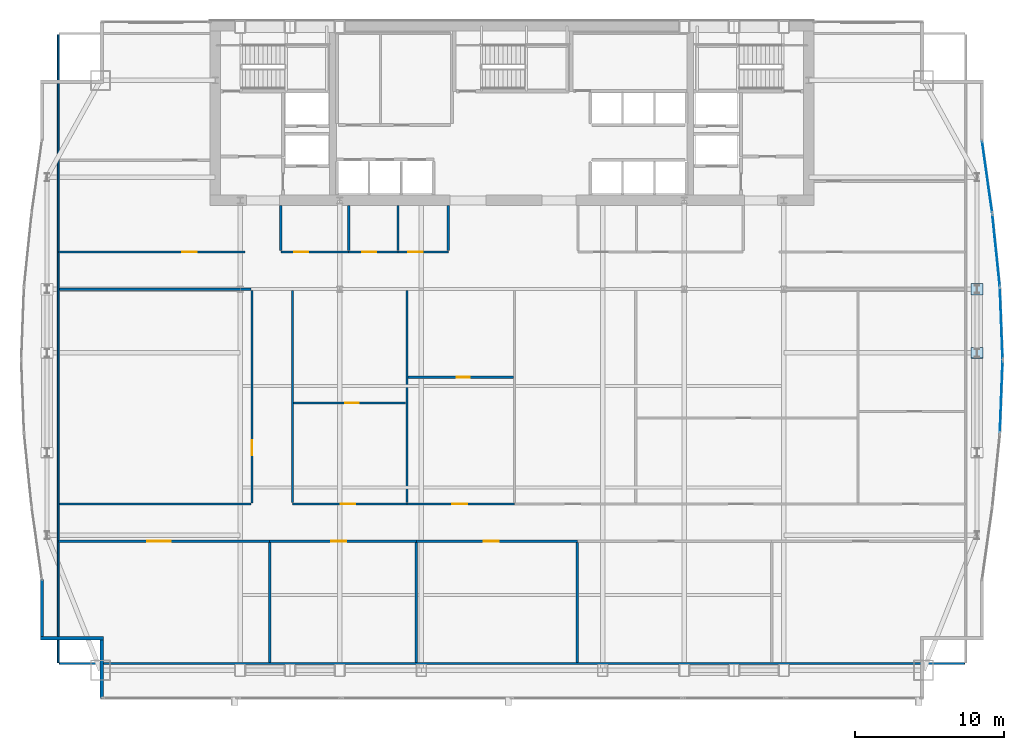
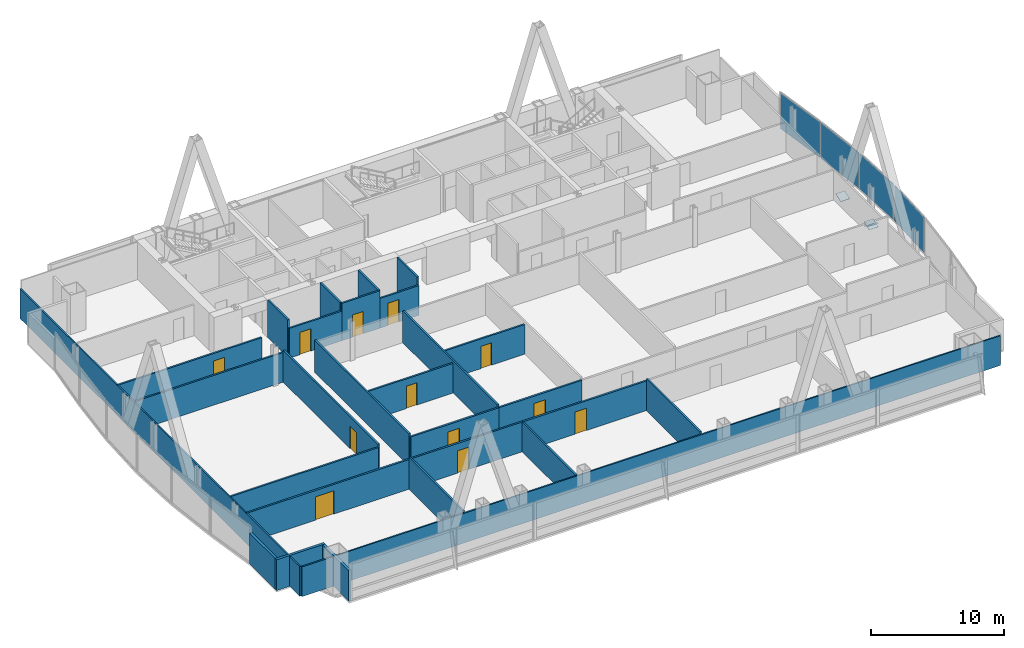
# One storey, part 25 of 30: 28 walls, 12 doors, 7 plates, 12 openings, 4 elements without a shape of their own.
"""IFC4 building model written with IfcOpenShell, lengths in metres."""

from ifc_helpers import new_model, si_unit, direction, frame, frame_2d, origin, origin_2d, place, context, subcontext, project, spatial, polyline, rectangle, outline, extrude, material, layer, layer_set, type_object, element, fill, aggregate, save


model = new_model("IFC4")

# Units and contexts
model_context = context("Model", 3, precision=1e-05, world=origin(), true_north=direction((0.0, 1.0)))
body_context = subcontext(model_context, "Body", "Model", "MODEL_VIEW")
ifc_project = project(units=[si_unit("LENGTHUNIT", "METRE"), si_unit("AREAUNIT", "SQUARE_METRE"), si_unit("VOLUMEUNIT", "CUBIC_METRE"), si_unit("PLANEANGLEUNIT", "RADIAN"), si_unit("MASSUNIT", "GRAM", prefix="KILO")], contexts=[model_context])

# Site, building, storey
site_placement = place(None, origin())
site = spatial("IfcSite", under=ifc_project, at=site_placement, CompositionType="ELEMENT")
building_placement = place(site_placement, origin())
building = spatial("IfcBuilding", under=site, at=building_placement, Name="Khoronbel Lancet Exchange", CompositionType="ELEMENT")
storey_placement = place(building_placement, frame((0.0, 0.0, 147.0)))
storey = spatial("IfcBuildingStorey", under=building, at=storey_placement, Name="L36", CompositionType="ELEMENT", Elevation=147.0)

# Curtain wall, plate
ifc_material_1 = material(Name="Low-E Solar Control Insulating Glass", Category="glass")
curtain_wall_type = type_object("IfcCurtainWallType", Name="CW-4", PredefinedType="NOTDEFINED", material=ifc_material_1)
curtain_wall_1_placement = place(storey_placement, origin())
curtain_wall_1 = element("IfcCurtainWall", 1, at=curtain_wall_1_placement, inside=storey, type_object=curtain_wall_type, Name="Unitised curtain wall CW-L36-E18", PredefinedType="NOTDEFINED")
ifc_material_2 = material(Name="Bronze-Anodised Aluminium 6063-T6", Category="aluminium")
ifc_layer_1 = layer(ifc_material_2, 0.050048828125, Name="Bronze-Anodised Aluminium 6063-T6")
ifc_layer_set_1 = layer_set([ifc_layer_1], Name="Bronze-Anodised Aluminium 6063-T6")
plate_type_1 = type_object("IfcPlateType", Name="PLT-CSP1", PredefinedType="SHEET", material=ifc_layer_set_1)
plate_1_placement = place(storey_placement, frame((68.90966796875, 38.31640625, 0.0849609375), z_axis=(0.0, 0.0, 1.0), x_axis=(0.10293162277, -0.994688434151, 0.0)))
plate_1 = element("IfcPlate", 2, at=plate_1_placement, type_object=plate_type_1, Name="CW4 panel 1.1", PredefinedType="CURTAIN_PANEL", context=body_context, shape_type="SweptSolid", body=[
    extrude(rectangle(XDim=4.788330078125, YDim=0.0380859375, at=origin_2d()), origin(), (0.0, 0.0, 1.0), 3.27001953125),
])
aggregate(curtain_wall_1, [plate_1])

curtain_wall_2_placement = place(storey_placement, origin())
curtain_wall_2 = element("IfcCurtainWall", 3, at=curtain_wall_2_placement, inside=storey, type_object=curtain_wall_type, Name="Unitised curtain wall CW-L36-E19", PredefinedType="NOTDEFINED")
plate_2_placement = place(storey_placement, frame((69.2568359375, 33.4052734375, 0.0849609375), z_axis=(0.0, 0.0, 1.0), x_axis=(0.037831321592, -0.999284139325, 0.0)))
plate_2 = element("IfcPlate", 4, at=plate_2_placement, type_object=plate_type_1, Name="CW4 panel 1.1", PredefinedType="CURTAIN_PANEL", context=body_context, shape_type="SweptSolid", body=[
    extrude(rectangle(XDim=4.763916015625, YDim=0.0380859375, at=origin_2d()), origin(), (0.0, 0.0, 1.0), 3.27001953125),
])
aggregate(curtain_wall_2, [plate_2])

curtain_wall_3_placement = place(storey_placement, origin())
curtain_wall_3 = element("IfcCurtainWall", 5, at=curtain_wall_3_placement, inside=storey, type_object=curtain_wall_type, Name="Unitised curtain wall CW-L36-E20", PredefinedType="NOTDEFINED")
plate_3_placement = place(storey_placement, frame((69.2568359375, 28.494873046875, 0.0849609375), z_axis=(0.0, 0.0, 1.0), x_axis=(-0.037831321592, -0.999284139325, 0.0)))
plate_3 = element("IfcPlate", 6, at=plate_3_placement, type_object=plate_type_1, Name="CW4 panel 1.1", PredefinedType="CURTAIN_PANEL", context=body_context, shape_type="SweptSolid", body=[
    extrude(rectangle(XDim=4.763916015625, YDim=0.0380859375, at=origin_2d()), origin(), (0.0, 0.0, 1.0), 3.27001953125),
])
aggregate(curtain_wall_3, [plate_3])

curtain_wall_4_placement = place(storey_placement, origin())
curtain_wall_4 = element("IfcCurtainWall", 7, at=curtain_wall_4_placement, inside=storey, type_object=curtain_wall_type, Name="Unitised curtain wall CW-L36-E17", PredefinedType="NOTDEFINED")
ifc_material_3 = material(Name="Ceramic-Fritted Laminated Insulating Glass", Category="glass")
ifc_layer_2 = layer(ifc_material_3, 0.0419921875, Name="Ceramic-Fritted Laminated Insulating Glass")
ifc_layer_set_2 = layer_set([ifc_layer_2], Name="Ceramic-Fritted Laminated Insulating Glass")
plate_type_2 = type_object("IfcPlateType", Name="PLT-CWP2", PredefinedType="CURTAIN_PANEL", material=ifc_layer_set_2)
plate_4_placement = place(storey_placement, frame((68.307861328125, 43.233154296875, 0.0849609375), z_axis=(0.0, 0.0, 1.0), x_axis=(0.139953659169, -0.990158054699, 0.0)))
plate_4 = element("IfcPlate", 8, at=plate_4_placement, type_object=plate_type_2, Name="CW4 panel 1.1", PredefinedType="CURTAIN_PANEL", context=body_context, shape_type="SweptSolid", body=[
    extrude(rectangle(XDim=4.8203125, YDim=0.0380859375, at=origin_2d()), origin(), (0.0, 0.0, 1.0), 3.27001953125),
])
aggregate(curtain_wall_4, [plate_4])

# Plates
ifc_material_4 = material(Name="Steel S460", Category="steel")
ifc_layer_3 = layer(ifc_material_4, 0.044921875, Name="Steel S460")
ifc_layer_set_3 = layer_set([ifc_layer_3], Name="Steel S460")
plate_type_3 = type_object("IfcPlateType", Name="PLT-ECP1", PredefinedType="USERDEFINED", material=ifc_layer_set_3)
plate_5_placement = place(storey_placement, frame((68.030029296875, 31.78271484375, -0.18212890625), z_axis=(0.0, 0.525492880722, 0.850797997359), x_axis=(-1.0, 0.0, 0.0)))
element("IfcPlate", 9, at=plate_5_placement, inside=storey, type_object=plate_type_3, Name="Hollow end cap plate PLT-CAP-MEM-MB-T11-E-P-L-1", ObjectType="STIFFENER_PLATE", PredefinedType="USERDEFINED", context=body_context, shape_type="SweptSolid", body=[
    extrude(outline(polyline([(0.0, 0.0), (0.800048828125, 0.0), (0.800048828125, 0.800048828125), (0.0, 0.800048828125), (0.0, 0.0)])), origin(), (0.0, 0.0, -1.0), 0.044921875),
])
plate_6_placement = place(storey_placement, frame((67.22998046875, 31.041015625, -0.116455078125), z_axis=(0.0, -0.368125419582, 0.929776142659), x_axis=(1.0, 0.0, 0.0)))
element("IfcPlate", 10, at=plate_6_placement, inside=storey, type_object=plate_type_3, Name="Hollow end cap plate PLT-CAP-MEM-MB-T11-E-P-R-1", ObjectType="STIFFENER_PLATE", PredefinedType="USERDEFINED", context=body_context, shape_type="SweptSolid", body=[
    extrude(outline(polyline([(0.0, 0.0), (0.800048828125, 0.0), (0.800048828125, 0.7998046875), (0.0, 0.7998046875), (0.0, 0.0)])), origin(), (0.0, 0.0, -1.0), 0.044921875),
])
plate_7_placement = place(storey_placement, frame((67.22998046875, 35.32373046875, -0.135986328125), z_axis=(0.0, -0.368020969419, 0.92981749073), x_axis=(1.0, 0.0, 0.0)))
element("IfcPlate", 11, at=plate_7_placement, inside=storey, type_object=plate_type_3, Name="Hollow end cap plate PLT-CAP-MEM-MB-T12-E-P-R-0", ObjectType="STIFFENER_PLATE", PredefinedType="USERDEFINED", context=body_context, shape_type="SweptSolid", body=[
    extrude(outline(polyline([(0.0, 0.0), (0.800048828125, 0.0), (0.800048828125, 0.800048828125), (0.0, 0.800048828125), (0.0, 0.0)])), origin(), (0.0, 0.0, -1.0), 0.044921875),
])

# Walls
ifc_material_5 = material(Name="Precast concrete C40/50", Category="concrete")
ifc_layer_4 = layer(ifc_material_5, 0.25, Name="Precast concrete C40/50")
ifc_layer_set_4 = layer_set([ifc_layer_4], Name="Precast concrete C40/50")
wall_type_1 = type_object("IfcWallType", Name="WL-EXT250", PredefinedType="SOLIDWALL", material=ifc_layer_set_4)
wall_1_placement = place(storey_placement, frame((8.93994140625, 8.27001953125, 0.0), z_axis=(0.0, 0.0, 1.0), x_axis=(0.0, 1.0, 0.0)))
element("IfcWall", 12, at=wall_1_placement, inside=storey, type_object=wall_type_1, Name="Level L36 notched-corner limestone pier 01", PredefinedType="SOLIDWALL", context=body_context, shape_type="SweptSolid", body=[
    extrude(rectangle(XDim=3.909912109375, YDim=0.219970703125, at=frame_2d((1.955078125, 0.0))), origin(), (0.0, 0.0, 1.0), 2.830078125),
])
wall_2_placement = place(storey_placement, frame((9.050048828125, 12.2900390625, 0.0), z_axis=(0.0, 0.0, 1.0), x_axis=(-1.0, 0.0, 0.0)))
element("IfcWall", 13, at=wall_2_placement, inside=storey, type_object=wall_type_1, Name="Level L36 notched-corner limestone pier 02", PredefinedType="SOLIDWALL", context=body_context, shape_type="SweptSolid", body=[
    extrude(rectangle(XDim=4.219970703125, YDim=0.219970703125, at=frame_2d((2.10986328125, 0.0))), origin(), (0.0, 0.0, 1.0), 2.830078125),
])
wall_3_placement = place(storey_placement, frame((4.93994140625, 12.39990234375, 0.0), z_axis=(0.0, 0.0, 1.0), x_axis=(0.0, 1.0, 0.0)))
element("IfcWall", 14, at=wall_3_placement, inside=storey, type_object=wall_type_1, Name="Level L36 notched-corner limestone pier 03", PredefinedType="SOLIDWALL", context=body_context, shape_type="SweptSolid", body=[
    extrude(rectangle(XDim=3.826416015625, YDim=0.219970703125, at=frame_2d((1.9130859375, 0.0))), origin(), (0.0, 0.0, 1.0), 2.830078125),
])
ifc_material_6 = material(Name="Acoustic Metal-Stud & Mineral-Wool Gypsum Partition 120 mm", Category="gypsum")
ifc_layer_5 = layer(ifc_material_6, 0.1201171875, Name="Acoustic Metal-Stud & Mineral-Wool Gypsum Partition 120 mm")
ifc_layer_set_5 = layer_set([ifc_layer_5], Name="Acoustic Metal-Stud & Mineral-Wool Gypsum Partition 120 mm")
wall_type_2 = type_object("IfcWallType", Name="WL-PRT120", PredefinedType="PARTITIONING", material=ifc_layer_set_5)
for number, where, z_axis, x_axis, name in (
    (15, (20.949951171875, 38.280029296875, 0.0), (0.0, 0.0, 1.0), (0.0, 1.0, 0.0), "Level L36 interior partition PW-WC-0"),
    (16, (25.5, 38.280029296875, 0.0), (0.0, 0.0, 1.0), (0.0, 1.0, 0.0), "Level L36 interior partition PW-WC-1"),
    (17, (28.800048828125, 38.280029296875, 0.0), (0.0, 0.0, 1.0), (0.0, 1.0, 0.0), "Level L36 interior partition PW-WC-2"),
    (18, (32.179931640625, 38.280029296875, 0.0), (0.0, 0.0, 1.0), (0.0, 1.0, 0.0), "Level L36 interior partition PW-WC-3"),
):
    element("IfcWall", number, at=place(storey_placement, frame(where, z_axis=z_axis, x_axis=x_axis)), inside=storey, type_object=wall_type_2, Name=name, PredefinedType="PARTITIONING", context=body_context, shape_type="SweptSolid", body=[
        extrude(rectangle(XDim=3.02001953125, YDim=0.14990234375, at=frame_2d((1.510009765625, 0.0))), origin(), (0.0, 0.0, 1.0), 3.43994140625),
    ])

# Wall, opening, door
wall_4_placement = place(storey_placement, frame((21.81005859375, 28.068115234375, 0.0), z_axis=(0.0, 0.0, 1.0), x_axis=(1.0, 0.0, 0.0)))
wall_4 = element("IfcWall", 19, at=wall_4_placement, inside=storey, type_object=wall_type_2, Name="Level L36 interior partition PW-Z2N-H1", PredefinedType="PARTITIONING", context=body_context, shape_type="SweptSolid", body=[
    extrude(rectangle(XDim=7.513671875, YDim=0.14990234375, at=frame_2d((3.7568359375, 0.0))), origin(), (0.0, 0.0, 1.0), 2.72998046875),
])
opening_1_placement = place(wall_4_placement, frame((3.453125, 0.0, 0.0)))
opening_1 = element("IfcOpeningElement", 20, at=opening_1_placement, cuts=wall_4, Name="Opening D5", PredefinedType="OPENING", context=body_context, shape_type="SweptSolid", body=[
    extrude(rectangle(XDim=0.89990234375, YDim=2.050048828125, at=frame_2d((0.449951171875, 1.02490234375))), frame((0.0, 0.0849609375, 0.0), z_axis=(0.0, -1.0, 0.0), x_axis=(1.0, 0.0, 0.0)), (0.0, 0.0, 1.0), 0.169921875),
])
ifc_material_7 = material(Name="Acoustic Timber Pantry & Support Door", Category="wood")
door_type_1 = type_object("IfcDoorType", Name="DR-D5", OperationType="NOTDEFINED", PredefinedType="DOOR", material=ifc_material_7)
door_1_placement = place(opening_1_placement, origin())
door_1 = element("IfcDoor", 21, at=door_1_placement, inside=storey, type_object=door_type_1, Name="Z2N inner door 1 L36-1", OperationType="SINGLE_SWING_RIGHT", OverallHeight=2.050048828125, OverallWidth=0.89990234375, PredefinedType="DOOR", context=body_context, shape_type="SweptSolid", body=[
    extrude(rectangle(XDim=0.89990234375, YDim=2.050048828125, at=frame_2d((0.449951171875, 1.02490234375))), frame((0.0, 0.02490234375, 0.0), z_axis=(0.0, -1.0, 0.0), x_axis=(1.0, 0.0, 0.0)), (0.0, 0.0, 1.0), 0.050048828125),
])
fill(opening_1, door_1)

wall_5_placement = place(storey_placement, frame((29.48388671875, 29.7958984375, 0.0), z_axis=(0.0, 0.0, 1.0), x_axis=(1.0, 0.0, 0.0)))
wall_5 = element("IfcWall", 22, at=wall_5_placement, inside=storey, type_object=wall_type_2, Name="Level L36 interior partition PW-Z2N-H2", PredefinedType="PARTITIONING", context=body_context, shape_type="SweptSolid", body=[
    extrude(rectangle(XDim=7.062255859375, YDim=0.14990234375, at=frame_2d((3.53125, 0.0))), origin(), (0.0, 0.0, 1.0), 2.72998046875),
])
opening_2_placement = place(wall_5_placement, frame((3.25, 0.0, 0.0)))
opening_2 = element("IfcOpeningElement", 23, at=opening_2_placement, cuts=wall_5, Name="Opening D5", PredefinedType="OPENING", context=body_context, shape_type="SweptSolid", body=[
    extrude(rectangle(XDim=0.89990234375, YDim=2.050048828125, at=frame_2d((0.449951171875, 1.02490234375))), frame((0.0, 0.0849609375, 0.0), z_axis=(0.0, -1.0, 0.0), x_axis=(1.0, 0.0, 0.0)), (0.0, 0.0, 1.0), 0.169921875),
])
door_2_placement = place(opening_2_placement, origin())
door_2 = element("IfcDoor", 24, at=door_2_placement, inside=storey, type_object=door_type_1, Name="Z2N inner door 2 L36-1", OperationType="SINGLE_SWING_RIGHT", OverallHeight=2.050048828125, OverallWidth=0.89990234375, PredefinedType="DOOR", context=body_context, shape_type="SweptSolid", body=[
    extrude(rectangle(XDim=0.89990234375, YDim=2.050048828125, at=frame_2d((0.449951171875, 1.02490234375))), frame((0.0, 0.02490234375, 0.0), z_axis=(0.0, -1.0, 0.0), x_axis=(1.0, 0.0, 0.0)), (0.0, 0.0, 1.0), 0.050048828125),
])
fill(opening_2, door_2)

# Walls
wall_6_placement = place(storey_placement, frame((6.030029296875, 10.6650390625, 0.0), z_axis=(0.0, 0.0, 1.0), x_axis=(0.0, 1.0, 0.0)))
element("IfcWall", 25, at=wall_6_placement, inside=storey, type_object=wall_type_2, Name="Level L36 interior partition PW-LIN-W", PredefinedType="PARTITIONING", context=body_context, shape_type="SweptSolid", body=[
    extrude(rectangle(XDim=42.10986328125, YDim=0.1201171875, at=frame_2d((21.054931640625, 0.0))), origin(), (0.0, 0.0, 1.0), 2.72998046875),
])
wall_7_placement = place(storey_placement, frame((6.094970703125, 10.60009765625, 0.0), z_axis=(0.0, 0.0, 1.0), x_axis=(1.0, 0.0, 0.0)))
element("IfcWall", 26, at=wall_7_placement, inside=storey, type_object=wall_type_2, Name="Level L36 interior partition PW-LIN-S", PredefinedType="PARTITIONING", context=body_context, shape_type="SweptSolid", body=[
    extrude(rectangle(XDim=60.7099609375, YDim=0.1201171875, at=frame_2d((30.35498046875, 0.0))), origin(), (0.0, 0.0, 1.0), 2.72998046875),
])

# Wall, opening, door
ifc_material_8 = material(Name="Fire-Rated Twin-Stud Acoustic Gypsum Partition 150 mm", Category="gypsum")
ifc_layer_6 = layer(ifc_material_8, 0.14990234375, Name="Fire-Rated Twin-Stud Acoustic Gypsum Partition 150 mm")
ifc_layer_set_6 = layer_set([ifc_layer_6], Name="Fire-Rated Twin-Stud Acoustic Gypsum Partition 150 mm")
wall_type_3 = type_object("IfcWallType", Name="WL-PRT150C", PredefinedType="PARTITIONING", material=ifc_layer_set_6)
wall_8_placement = place(storey_placement, frame((20.949951171875, 38.199951171875, 0.0), z_axis=(0.0, 0.0, 1.0), x_axis=(1.0, 0.0, 0.0)))
wall_8 = element("IfcWall", 27, at=wall_8_placement, inside=storey, type_object=wall_type_3, Name="Level L36 interior partition PW-WC-S1", PredefinedType="PARTITIONING", context=body_context, shape_type="SweptSolid", body=[
    extrude(rectangle(XDim=4.550048828125, YDim=0.14990234375, at=frame_2d((2.27490234375, 0.0))), origin(), (0.0, 0.0, 1.0), 2.72998046875),
])
opening_3_placement = place(wall_8_placement, frame((0.89990234375, 0.0, 0.0)))
opening_3 = element("IfcOpeningElement", 28, at=opening_3_placement, cuts=wall_8, Name="Opening D4", PredefinedType="OPENING", context=body_context, shape_type="SweptSolid", body=[
    extrude(rectangle(XDim=0.949951171875, YDim=2.050048828125, at=frame_2d((0.47509765625, 1.02490234375))), frame((0.0, 0.0849609375, 0.0), z_axis=(0.0, -1.0, 0.0), x_axis=(1.0, 0.0, 0.0)), (0.0, 0.0, 1.0), 0.169921875),
])
ifc_material_9 = material(Name="Moisture-Resistant HPL Washroom Door", Category="wood")
door_type_2 = type_object("IfcDoorType", Name="DR-D4", OperationType="NOTDEFINED", PredefinedType="DOOR", material=ifc_material_9)
door_3_placement = place(opening_3_placement, origin())
door_3 = element("IfcDoor", 29, at=door_3_placement, inside=storey, type_object=door_type_2, Name="Male washroom door L36-1", OperationType="SINGLE_SWING_LEFT", OverallHeight=2.050048828125, OverallWidth=0.949951171875, PredefinedType="DOOR", context=body_context, shape_type="SweptSolid", body=[
    extrude(rectangle(XDim=0.949951171875, YDim=2.050048828125, at=frame_2d((0.47509765625, 1.02490234375))), frame((0.0, 0.02490234375, 0.0), z_axis=(0.0, -1.0, 0.0), x_axis=(1.0, 0.0, 0.0)), (0.0, 0.0, 1.0), 0.050048828125),
])
fill(opening_3, door_3)

wall_9_placement = place(storey_placement, frame((25.5, 38.199951171875, 0.0), z_axis=(0.0, 0.0, 1.0), x_axis=(1.0, 0.0, 0.0)))
wall_9 = element("IfcWall", 30, at=wall_9_placement, inside=storey, type_object=wall_type_3, Name="Level L36 interior partition PW-WC-S2", PredefinedType="PARTITIONING", context=body_context, shape_type="SweptSolid", body=[
    extrude(rectangle(XDim=3.300048828125, YDim=0.14990234375, at=frame_2d((1.64990234375, 0.0))), origin(), (0.0, 0.0, 1.0), 3.43994140625),
])
opening_4_placement = place(wall_9_placement, frame((0.89990234375, 0.0, 0.0)))
opening_4 = element("IfcOpeningElement", 31, at=opening_4_placement, cuts=wall_9, Name="Opening D4", PredefinedType="OPENING", context=body_context, shape_type="SweptSolid", body=[
    extrude(rectangle(XDim=0.949951171875, YDim=2.050048828125, at=frame_2d((0.47509765625, 1.02490234375))), frame((0.0, 0.0849609375, 0.0), z_axis=(0.0, -1.0, 0.0), x_axis=(1.0, 0.0, 0.0)), (0.0, 0.0, 1.0), 0.169921875),
])
door_4_placement = place(opening_4_placement, origin())
door_4 = element("IfcDoor", 32, at=door_4_placement, inside=storey, type_object=door_type_2, Name="Female washroom door L36-1", OperationType="SINGLE_SWING_RIGHT", OverallHeight=2.050048828125, OverallWidth=0.949951171875, PredefinedType="DOOR", context=body_context, shape_type="SweptSolid", body=[
    extrude(rectangle(XDim=0.949951171875, YDim=2.050048828125, at=frame_2d((0.47509765625, 1.02490234375))), frame((0.0, 0.02490234375, 0.0), z_axis=(0.0, -1.0, 0.0), x_axis=(1.0, 0.0, 0.0)), (0.0, 0.0, 1.0), 0.050048828125),
])
fill(opening_4, door_4)

wall_10_placement = place(storey_placement, frame((28.800048828125, 38.199951171875, 0.0), z_axis=(0.0, 0.0, 1.0), x_axis=(1.0, 0.0, 0.0)))
wall_10 = element("IfcWall", 33, at=wall_10_placement, inside=storey, type_object=wall_type_3, Name="Level L36 interior partition PW-WC-S3", PredefinedType="PARTITIONING", context=body_context, shape_type="SweptSolid", body=[
    extrude(rectangle(XDim=3.3798828125, YDim=0.14990234375, at=frame_2d((1.68994140625, 0.0))), origin(), (0.0, 0.0, 1.0), 2.72998046875),
])
opening_5_placement = place(wall_10_placement, frame((0.699951171875, 0.0, 0.0)))
opening_5 = element("IfcOpeningElement", 34, at=opening_5_placement, cuts=wall_10, Name="Opening D4", PredefinedType="OPENING", context=body_context, shape_type="SweptSolid", body=[
    extrude(rectangle(XDim=0.949951171875, YDim=2.050048828125, at=frame_2d((0.47509765625, 1.02490234375))), frame((0.0, 0.0849609375, 0.0), z_axis=(0.0, -1.0, 0.0), x_axis=(1.0, 0.0, 0.0)), (0.0, 0.0, 1.0), 0.169921875),
])
door_5_placement = place(opening_5_placement, origin())
door_5 = element("IfcDoor", 35, at=door_5_placement, inside=storey, type_object=door_type_2, Name="Accessible WC door L36-1", OperationType="SINGLE_SWING_LEFT", OverallHeight=2.050048828125, OverallWidth=0.949951171875, PredefinedType="DOOR", context=body_context, shape_type="SweptSolid", body=[
    extrude(rectangle(XDim=0.949951171875, YDim=2.050048828125, at=frame_2d((0.47509765625, 1.02490234375))), frame((0.0, 0.02490234375, 0.0), z_axis=(0.0, -1.0, 0.0), x_axis=(1.0, 0.0, 0.0)), (0.0, 0.0, 1.0), 0.050048828125),
])
fill(opening_5, door_5)

wall_11_placement = place(storey_placement, frame((6.030029296875, 38.199951171875, 0.0), z_axis=(0.0, 0.0, 1.0), x_axis=(1.0, 0.0, 0.0)))
wall_11 = element("IfcWall", 36, at=wall_11_placement, inside=storey, type_object=wall_type_3, Name="Level L36 interior partition PW-NW-S", PredefinedType="PARTITIONING", context=body_context, shape_type="SweptSolid", body=[
    extrude(rectangle(XDim=12.52001953125, YDim=0.14990234375, at=frame_2d((6.260009765625, 0.0))), origin(), (0.0, 0.0, 1.0), 2.72998046875),
])
opening_6_placement = place(wall_11_placement, frame((8.320068359375, 0.0, 0.0)))
opening_6 = element("IfcOpeningElement", 37, at=opening_6_placement, cuts=wall_11, Name="Opening D1", PredefinedType="OPENING", context=body_context, shape_type="SweptSolid", body=[
    extrude(rectangle(XDim=0.949951171875, YDim=2.050048828125, at=frame_2d((0.47509765625, 1.02490234375))), frame((0.0, 0.0849609375, 0.0), z_axis=(0.0, -1.0, 0.0), x_axis=(1.0, 0.0, 0.0)), (0.0, 0.0, 1.0), 0.169921875),
])
ifc_material_10 = material(Name="Acoustic Veneered Timber & Bronze Frame Door", Category="wood")
door_type_3 = type_object("IfcDoorType", Name="DR-D1", OperationType="NOTDEFINED", PredefinedType="DOOR", material=ifc_material_10)
door_6_placement = place(opening_6_placement, origin())
door_6 = element("IfcDoor", 38, at=door_6_placement, inside=storey, type_object=door_type_3, Name="NW corner room door L36-1", OperationType="SINGLE_SWING_RIGHT", OverallHeight=2.050048828125, OverallWidth=0.949951171875, PredefinedType="DOOR", context=body_context, shape_type="SweptSolid", body=[
    extrude(rectangle(XDim=0.949951171875, YDim=2.050048828125, at=frame_2d((0.47509765625, 1.02490234375))), frame((0.0, 0.02490234375, 0.0), z_axis=(0.0, -1.0, 0.0), x_axis=(1.0, 0.0, 0.0)), (0.0, 0.0, 1.0), 0.050048828125),
])
fill(opening_6, door_6)

# Walls
wall_12_placement = place(storey_placement, frame((20.204833984375, 10.6650390625, 0.0), z_axis=(0.0, 0.0, 1.0), x_axis=(0.0, 1.0, 0.0)))
element("IfcWall", 39, at=wall_12_placement, inside=storey, type_object=wall_type_3, Name="Level L36 interior partition PW-Z2S-V1", PredefinedType="PARTITIONING", context=body_context, shape_type="SweptSolid", body=[
    extrude(rectangle(XDim=8.050048828125, YDim=0.14990234375, at=frame_2d((4.02490234375, 0.0))), origin(), (0.0, 0.0, 1.0), 2.929931640625),
])
wall_13_placement = place(storey_placement, frame((30.035888671875, 10.6650390625, 0.0), z_axis=(0.0, 0.0, 1.0), x_axis=(0.0, 1.0, 0.0)))
element("IfcWall", 40, at=wall_13_placement, inside=storey, type_object=wall_type_3, Name="Level L36 interior partition PW-Z2S-V2", PredefinedType="PARTITIONING", context=body_context, shape_type="SweptSolid", body=[
    extrude(rectangle(XDim=8.050048828125, YDim=0.14990234375, at=frame_2d((4.02490234375, 0.0))), origin(), (0.0, 0.0, 1.0), 2.72998046875),
])
wall_14_placement = place(storey_placement, frame((40.83203125, 10.6650390625, 0.0), z_axis=(0.0, 0.0, 1.0), x_axis=(0.0, 1.0, 0.0)))
element("IfcWall", 41, at=wall_14_placement, inside=storey, type_object=wall_type_3, Name="Level L36 interior partition PW-Z2S-V3", PredefinedType="PARTITIONING", context=body_context, shape_type="SweptSolid", body=[
    extrude(rectangle(XDim=8.050048828125, YDim=0.14990234375, at=frame_2d((4.02490234375, 0.0))), origin(), (0.0, 0.0, 1.0), 2.929931640625),
])

# Wall, opening, door
wall_15_placement = place(storey_placement, frame((19.02001953125, 21.3798828125, 0.0), z_axis=(0.0, 0.0, 1.0), x_axis=(0.0, 1.0, 0.0)))
wall_15 = element("IfcWall", 42, at=wall_15_placement, inside=storey, type_object=wall_type_3, Name="Level L36 interior partition PW-Z2-WLK", PredefinedType="PARTITIONING", context=body_context, shape_type="SweptSolid", body=[
    extrude(rectangle(XDim=14.240234375, YDim=0.14990234375, at=frame_2d((7.1201171875, 0.0))), origin(), (0.0, 0.0, 1.0), 2.929931640625),
])
opening_7_placement = place(wall_15_placement, frame((3.199951171875, 0.0, 0.0)))
opening_7 = element("IfcOpeningElement", 43, at=opening_7_placement, cuts=wall_15, Name="Opening D2", PredefinedType="OPENING", context=body_context, shape_type="SweptSolid", body=[
    extrude(rectangle(XDim=1.0, YDim=2.050048828125, at=frame_2d((0.5, 1.02490234375))), frame((0.0, 0.0849609375, 0.0), z_axis=(0.0, -1.0, 0.0), x_axis=(1.0, 0.0, 0.0)), (0.0, 0.0, 1.0), 0.169921875),
])
door_type_4 = type_object("IfcDoorType", Name="DR-D2", OperationType="NOTDEFINED", PredefinedType="DOOR", material=ifc_material_10)
door_7_placement = place(opening_7_placement, origin())
door_7 = element("IfcDoor", 44, at=door_7_placement, inside=storey, type_object=door_type_4, Name="West mid-band room door L36-1", OperationType="SINGLE_SWING_RIGHT", OverallHeight=2.050048828125, OverallWidth=1.0, PredefinedType="DOOR", context=body_context, shape_type="SweptSolid", body=[
    extrude(rectangle(XDim=1.0, YDim=2.050048828125, at=frame_2d((0.5, 1.02490234375))), frame((0.0, 0.02490234375, 0.0), z_axis=(0.0, -1.0, 0.0), x_axis=(1.0, 0.0, 0.0)), (0.0, 0.0, 1.0), 0.050048828125),
])
fill(opening_7, door_7)

# Walls
for number, where, z_axis, x_axis, name in (
    (45, (6.094970703125, 21.300048828125, 0.0), (0.0, 0.0, 1.0), (1.0, 0.0, 0.0), "Level L36 interior partition PW-Z2-WS"),
    (46, (6.094970703125, 35.699951171875, 0.0), (0.0, 0.0, 1.0), (1.0, 0.0, 0.0), "Level L36 interior partition PW-Z2-WN"),
):
    element("IfcWall", number, at=place(storey_placement, frame(where, z_axis=z_axis, x_axis=x_axis)), inside=storey, type_object=wall_type_3, Name=name, PredefinedType="PARTITIONING", context=body_context, shape_type="SweptSolid", body=[
        extrude(rectangle(XDim=12.844970703125, YDim=0.14990234375, at=frame_2d((6.42236328125, 0.0))), origin(), (0.0, 0.0, 1.0), 2.72998046875),
    ])
for number, where, z_axis, x_axis, name in (
    (47, (21.72998046875, 21.385009765625, 0.0), (0.0, 0.0, 1.0), (0.0, 1.0, 0.0), "Level L36 interior partition PW-Z2-ELK"),
    (48, (29.40380859375, 21.385009765625, 0.0), (0.0, 0.0, 1.0), (0.0, 1.0, 0.0), "Level L36 interior partition PW-Z2N-V1"),
):
    element("IfcWall", number, at=place(storey_placement, frame(where, z_axis=z_axis, x_axis=x_axis)), inside=storey, type_object=wall_type_3, Name=name, PredefinedType="PARTITIONING", context=body_context, shape_type="SweptSolid", body=[
        extrude(rectangle(XDim=14.235107421875, YDim=0.14990234375, at=frame_2d((7.11767578125, 0.0))), origin(), (0.0, 0.0, 1.0), 2.929931640625),
    ])

# Wall, opening, door
ifc_material_11 = material(Name="Fire-Rated Twin-Stud Acoustic Gypsum Partition 160 mm", Category="gypsum")
ifc_layer_7 = layer(ifc_material_11, 0.159912109375, Name="Fire-Rated Twin-Stud Acoustic Gypsum Partition 160 mm")
ifc_layer_set_7 = layer_set([ifc_layer_7], Name="Fire-Rated Twin-Stud Acoustic Gypsum Partition 160 mm")
wall_type_4 = type_object("IfcWallType", Name="WL-PRT160C", PredefinedType="PARTITIONING", material=ifc_layer_set_7)
wall_16_placement = place(storey_placement, frame((6.030029296875, 18.800048828125, 0.0), z_axis=(0.0, 0.0, 1.0), x_axis=(1.0, 0.0, 0.0)))
wall_16 = element("IfcWall", 49, at=wall_16_placement, inside=storey, type_object=wall_type_4, Name="Level L36 interior partition PW-Z2S-COR1", PredefinedType="PARTITIONING", context=body_context, shape_type="SweptSolid", body=[
    extrude(rectangle(XDim=14.1748046875, YDim=0.159912109375, at=frame_2d((7.08740234375, 0.0))), origin(), (0.0, 0.0, 1.0), 2.72998046875),
])
opening_8_placement = place(wall_16_placement, frame((5.953369140625, 0.0, 0.0)))
opening_8 = element("IfcOpeningElement", 50, at=opening_8_placement, cuts=wall_16, Name="Opening D3", PredefinedType="OPENING", context=body_context, shape_type="SweptSolid", body=[
    extrude(rectangle(XDim=1.60009765625, YDim=2.14990234375, at=frame_2d((0.800048828125, 1.074951171875))), frame((0.0, 0.08984375, 0.0), z_axis=(0.0, -1.0, 0.0), x_axis=(1.0, 0.0, 0.0)), (0.0, 0.0, 1.0), 0.179931640625),
])
ifc_material_12 = material(Name="Glazed Bronze-Framed Double Suite Door", Category="aluminium")
door_type_5 = type_object("IfcDoorType", Name="DR-D3", OperationType="NOTDEFINED", PredefinedType="DOOR", material=ifc_material_12)
door_8_placement = place(opening_8_placement, origin())
door_8 = element("IfcDoor", 51, at=door_8_placement, inside=storey, type_object=door_type_5, Name="Z2S bay 1 door L36-1", OperationType="DOUBLE_DOOR_SINGLE_SWING", OverallHeight=2.14990234375, OverallWidth=1.60009765625, PredefinedType="DOOR", context=body_context, shape_type="SweptSolid", body=[
    extrude(rectangle(XDim=1.60009765625, YDim=2.14990234375, at=frame_2d((0.800048828125, 1.074951171875))), frame((0.0, 0.02490234375, 0.0), z_axis=(0.0, -1.0, 0.0), x_axis=(1.0, 0.0, 0.0)), (0.0, 0.0, 1.0), 0.050048828125),
])
fill(opening_8, door_8)

wall_17_placement = place(storey_placement, frame((20.204833984375, 18.800048828125, 0.0), z_axis=(0.0, 0.0, 1.0), x_axis=(1.0, 0.0, 0.0)))
wall_17 = element("IfcWall", 52, at=wall_17_placement, inside=storey, type_object=wall_type_4, Name="Level L36 interior partition PW-Z2S-COR2", PredefinedType="PARTITIONING", context=body_context, shape_type="SweptSolid", body=[
    extrude(rectangle(XDim=9.8310546875, YDim=0.159912109375, at=frame_2d((4.91552734375, 0.0))), origin(), (0.0, 0.0, 1.0), 2.72998046875),
])
opening_9_placement = place(wall_17_placement, frame((4.12890625, 0.0, 0.0)))
opening_9 = element("IfcOpeningElement", 53, at=opening_9_placement, cuts=wall_17, Name="Opening D2", PredefinedType="OPENING", context=body_context, shape_type="SweptSolid", body=[
    extrude(rectangle(XDim=1.0, YDim=2.050048828125, at=frame_2d((0.5, 1.02490234375))), frame((0.0, 0.08984375, 0.0), z_axis=(0.0, -1.0, 0.0), x_axis=(1.0, 0.0, 0.0)), (0.0, 0.0, 1.0), 0.179931640625),
])
door_9_placement = place(opening_9_placement, origin())
door_9 = element("IfcDoor", 54, at=door_9_placement, inside=storey, type_object=door_type_4, Name="Z2S bay 2 door L36-1", OperationType="SINGLE_SWING_RIGHT", OverallHeight=2.050048828125, OverallWidth=1.0, PredefinedType="DOOR", context=body_context, shape_type="SweptSolid", body=[
    extrude(rectangle(XDim=1.0, YDim=2.050048828125, at=frame_2d((0.5, 1.02490234375))), frame((0.0, 0.02490234375, 0.0), z_axis=(0.0, -1.0, 0.0), x_axis=(1.0, 0.0, 0.0)), (0.0, 0.0, 1.0), 0.050048828125),
])
fill(opening_9, door_9)

wall_18_placement = place(storey_placement, frame((30.035888671875, 18.800048828125, 0.0), z_axis=(0.0, 0.0, 1.0), x_axis=(1.0, 0.0, 0.0)))
wall_18 = element("IfcWall", 55, at=wall_18_placement, inside=storey, type_object=wall_type_4, Name="Level L36 interior partition PW-Z2S-COR3", PredefinedType="PARTITIONING", context=body_context, shape_type="SweptSolid", body=[
    extrude(rectangle(XDim=10.796142578125, YDim=0.159912109375, at=frame_2d((5.39794921875, 0.0))), origin(), (0.0, 0.0, 1.0), 2.72998046875),
])
opening_10_placement = place(wall_18_placement, frame((4.534423828125, 0.0, 0.0)))
opening_10 = element("IfcOpeningElement", 56, at=opening_10_placement, cuts=wall_18, Name="Opening D2", PredefinedType="OPENING", context=body_context, shape_type="SweptSolid", body=[
    extrude(rectangle(XDim=1.0, YDim=2.050048828125, at=frame_2d((0.5, 1.02490234375))), frame((0.0, 0.08984375, 0.0), z_axis=(0.0, -1.0, 0.0), x_axis=(1.0, 0.0, 0.0)), (0.0, 0.0, 1.0), 0.179931640625),
])
door_10_placement = place(opening_10_placement, origin())
door_10 = element("IfcDoor", 57, at=door_10_placement, inside=storey, type_object=door_type_4, Name="Z2S bay 3 door L36-1", OperationType="SINGLE_SWING_LEFT", OverallHeight=2.050048828125, OverallWidth=1.0, PredefinedType="DOOR", context=body_context, shape_type="SweptSolid", body=[
    extrude(rectangle(XDim=1.0, YDim=2.050048828125, at=frame_2d((0.5, 1.02490234375))), frame((0.0, 0.02490234375, 0.0), z_axis=(0.0, -1.0, 0.0), x_axis=(1.0, 0.0, 0.0)), (0.0, 0.0, 1.0), 0.050048828125),
])
fill(opening_10, door_10)

wall_19_placement = place(storey_placement, frame((21.72998046875, 21.300048828125, 0.0), z_axis=(0.0, 0.0, 1.0), x_axis=(1.0, 0.0, 0.0)))
wall_19 = element("IfcWall", 58, at=wall_19_placement, inside=storey, type_object=wall_type_4, Name="Level L36 interior partition PW-Z2N-COR1", PredefinedType="PARTITIONING", context=body_context, shape_type="SweptSolid", body=[
    extrude(rectangle(XDim=7.673828125, YDim=0.159912109375, at=frame_2d((3.8369140625, 0.0))), origin(), (0.0, 0.0, 1.0), 2.72998046875),
])
opening_11_placement = place(wall_19_placement, frame((3.222900390625, 0.0, 0.0)))
opening_11 = element("IfcOpeningElement", 59, at=opening_11_placement, cuts=wall_19, Name="Opening D2", PredefinedType="OPENING", context=body_context, shape_type="SweptSolid", body=[
    extrude(rectangle(XDim=1.0, YDim=2.050048828125, at=frame_2d((0.5, 1.02490234375))), frame((0.0, 0.08984375, 0.0), z_axis=(0.0, -1.0, 0.0), x_axis=(1.0, 0.0, 0.0)), (0.0, 0.0, 1.0), 0.179931640625),
])
door_11_placement = place(opening_11_placement, origin())
door_11 = element("IfcDoor", 60, at=door_11_placement, inside=storey, type_object=door_type_4, Name="Z2N bay 1 door L36-1", OperationType="SINGLE_SWING_LEFT", OverallHeight=2.050048828125, OverallWidth=1.0, PredefinedType="DOOR", context=body_context, shape_type="SweptSolid", body=[
    extrude(rectangle(XDim=1.0, YDim=2.050048828125, at=frame_2d((0.5, 1.02490234375))), frame((0.0, 0.02490234375, 0.0), z_axis=(0.0, -1.0, 0.0), x_axis=(1.0, 0.0, 0.0)), (0.0, 0.0, 1.0), 0.050048828125),
])
fill(opening_11, door_11)

wall_20_placement = place(storey_placement, frame((29.40380859375, 21.300048828125, 0.0), z_axis=(0.0, 0.0, 1.0), x_axis=(1.0, 0.0, 0.0)))
wall_20 = element("IfcWall", 61, at=wall_20_placement, inside=storey, type_object=wall_type_4, Name="Level L36 interior partition PW-Z2N-COR2", PredefinedType="PARTITIONING", context=body_context, shape_type="SweptSolid", body=[
    extrude(rectangle(XDim=7.222412109375, YDim=0.159912109375, at=frame_2d((3.611328125, 0.0))), origin(), (0.0, 0.0, 1.0), 2.72998046875),
])
opening_12_placement = place(wall_20_placement, frame((3.033447265625, 0.0, 0.0)))
opening_12 = element("IfcOpeningElement", 62, at=opening_12_placement, cuts=wall_20, Name="Opening D2", PredefinedType="OPENING", context=body_context, shape_type="SweptSolid", body=[
    extrude(rectangle(XDim=1.0, YDim=2.050048828125, at=frame_2d((0.5, 1.02490234375))), frame((0.0, 0.08984375, 0.0), z_axis=(0.0, -1.0, 0.0), x_axis=(1.0, 0.0, 0.0)), (0.0, 0.0, 1.0), 0.179931640625),
])
door_12_placement = place(opening_12_placement, origin())
door_12 = element("IfcDoor", 63, at=door_12_placement, inside=storey, type_object=door_type_4, Name="Z2N bay 2 door L36-1", OperationType="SINGLE_SWING_LEFT", OverallHeight=2.050048828125, OverallWidth=1.0, PredefinedType="DOOR", context=body_context, shape_type="SweptSolid", body=[
    extrude(rectangle(XDim=1.0, YDim=2.050048828125, at=frame_2d((0.5, 1.02490234375))), frame((0.0, 0.02490234375, 0.0), z_axis=(0.0, -1.0, 0.0), x_axis=(1.0, 0.0, 0.0)), (0.0, 0.0, 1.0), 0.050048828125),
])
fill(opening_12, door_12)

save(model, "model.ifc")
